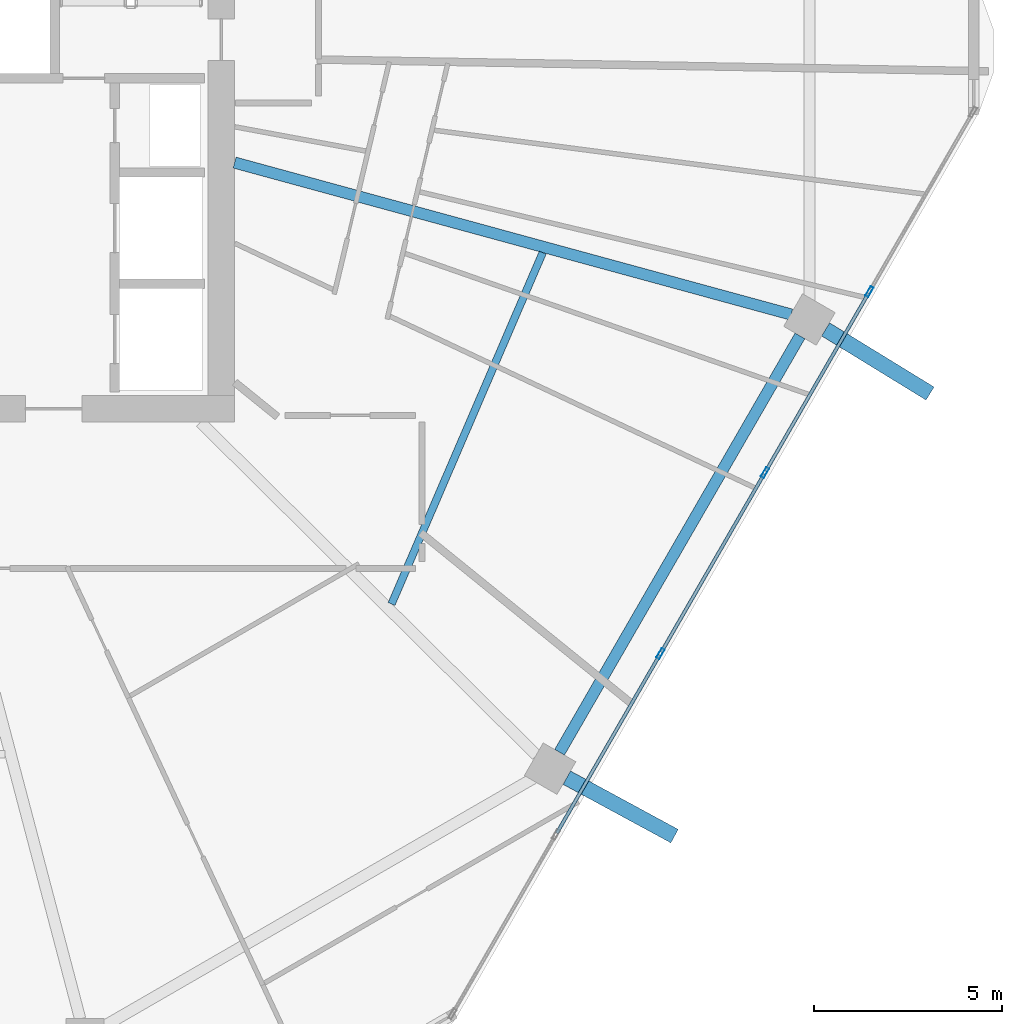
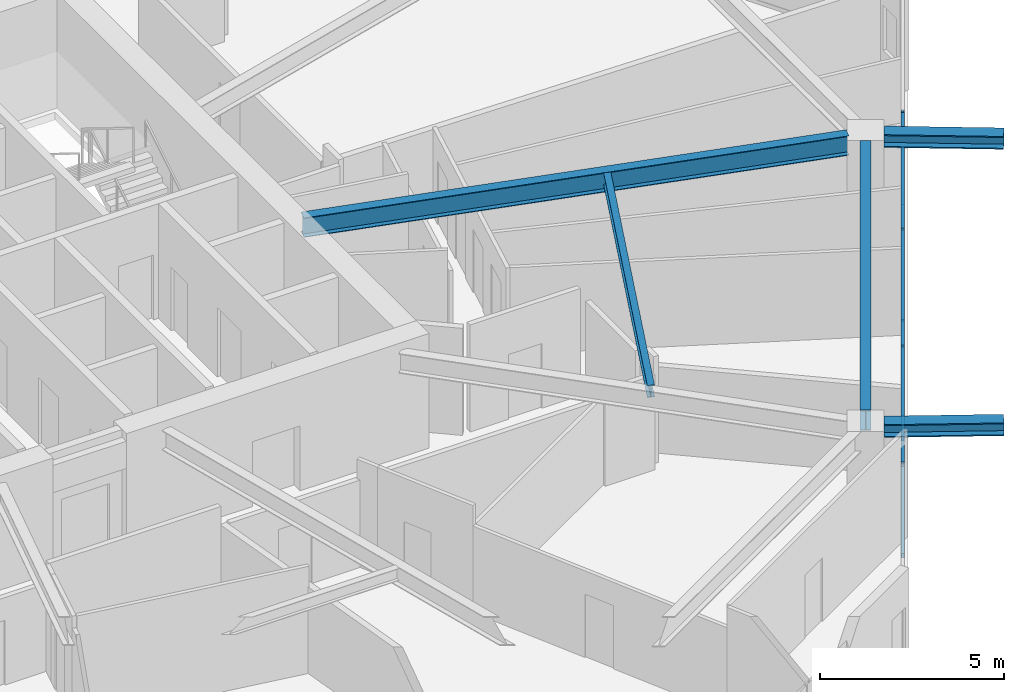
# One storey, part 8 of 25: 9 members, 5 beams, 1 element without a shape of its own.
"""IFC4 building model written with IfcOpenShell, lengths in metres."""

from ifc_helpers import new_model, si_unit, direction, frame, origin, origin_2d, place, context, subcontext, project, spatial, hollow_rectangle, i_section, extrude, material, material_profile, profile_set, type_object, element, aggregate, save


model = new_model("IFC4")

# Units and contexts
model_context = context("Model", 3, precision=1e-05, world=origin(), true_north=direction((0.0, 1.0)))
body_context = subcontext(model_context, "Body", "Model", "MODEL_VIEW")
ifc_project = project(units=[si_unit("LENGTHUNIT", "METRE"), si_unit("AREAUNIT", "SQUARE_METRE"), si_unit("VOLUMEUNIT", "CUBIC_METRE"), si_unit("PLANEANGLEUNIT", "RADIAN"), si_unit("MASSUNIT", "GRAM", prefix="KILO")], contexts=[model_context])

# Site, building, storey
site_placement = place(None, origin())
site = spatial("IfcSite", under=ifc_project, at=site_placement, CompositionType="ELEMENT")
building_placement = place(site_placement, origin())
building = spatial("IfcBuilding", under=site, at=building_placement, Name="Zuhravey Tower", CompositionType="ELEMENT")
storey_placement = place(building_placement, frame((0.0, 0.0, 180.800048828125)))
storey = spatial("IfcBuildingStorey", under=building, at=storey_placement, Name="L45", CompositionType="ELEMENT", Elevation=180.800048828125)

# Curtain wall, members
ifc_material_1 = material(Name="Thermally broken anodised aluminium", Category="aluminium")
curtain_wall_type = type_object("IfcCurtainWallType", Name="Zone 1-2 Residential Curtain Wall CW3", PredefinedType="NOTDEFINED", material=ifc_material_1)
curtain_wall_placement = place(storey_placement, origin())
curtain_wall = element("IfcCurtainWall", 1, at=curtain_wall_placement, inside=storey, type_object=curtain_wall_type, Name="L45 CW3 CW-L45-F6-1", PredefinedType="NOTDEFINED")
ifc_material_2 = material(Name="Anodised aluminium", Category="aluminium")
ifc_material_profile_1 = material_profile(ifc_material_2, hollow_rectangle(XDim=0.090087890625, YDim=0.284912109375, WallThickness=0.0048828125, at=origin_2d()), Name="ALU-RHS-90x285x5")
ifc_profile_set_1 = profile_set([ifc_material_profile_1], Name="Anodised aluminium")
member_type_1 = type_object("IfcMemberType", Name="Curtain-Wall Mullion 90x180", PredefinedType="MULLION", material=ifc_profile_set_1)
member_1_placement = place(storey_placement, frame((63.699462890625, 25.61083984375, 0.0), z_axis=(0.0, 0.0, 1.0), x_axis=(0.866025138215, -0.500000459979, 0.0)))
member_1 = element("IfcMember", 2, at=member_1_placement, type_object=member_type_1, Name="CW3 mullion 2", PredefinedType="MULLION", context=body_context, shape_type="SweptSolid", body=[
    extrude(hollow_rectangle(XDim=0.090087890625, YDim=0.284912109375, WallThickness=0.0048828125, at=origin_2d()), origin(), (0.0, 0.0, 1.0), 3.1220703125),
])
member_2_placement = place(storey_placement, frame((60.92724609375, 20.809326171875, 0.0), z_axis=(0.0, 0.0, 1.0), x_axis=(0.866025138215, -0.500000459979, 0.0)))
member_2 = element("IfcMember", 3, at=member_2_placement, type_object=member_type_1, Name="CW3 mullion 3", PredefinedType="MULLION", context=body_context, shape_type="SweptSolid", body=[
    extrude(hollow_rectangle(XDim=0.090087890625, YDim=0.284912109375, WallThickness=0.0048828125, at=origin_2d()), origin(), (0.0, 0.0, 1.0), 3.1220703125),
])
member_3_placement = place(storey_placement, frame((58.155029296875, 16.007568359375, 0.0), z_axis=(0.0, 0.0, 1.0), x_axis=(0.866025138215, -0.500000459979, 0.0)))
member_3 = element("IfcMember", 4, at=member_3_placement, type_object=member_type_1, Name="CW3 mullion 4", PredefinedType="MULLION", context=body_context, shape_type="SweptSolid", body=[
    extrude(hollow_rectangle(XDim=0.090087890625, YDim=0.284912109375, WallThickness=0.0048828125, at=origin_2d()), origin(), (0.0, 0.0, 1.0), 3.1220703125),
])
ifc_material_profile_2 = material_profile(ifc_material_2, hollow_rectangle(XDim=0.090087890625, YDim=0.14990234375, WallThickness=0.0048828125, at=origin_2d()), Name="ALU-RHS-90x150x5")
ifc_profile_set_2 = profile_set([ifc_material_profile_2], Name="Anodised aluminium")
member_type_2 = type_object("IfcMemberType", Name="Curtain-Wall Transom 90x150", PredefinedType="USERDEFINED", material=ifc_profile_set_2)
member_4_placement = place(storey_placement, frame((63.677001953125, 25.572021484375, 0.044921875), z_axis=(-0.49996138257, -0.86604769842, 0.0), x_axis=(0.86604769842, -0.49996138257, 0.0)))
member_4 = element("IfcMember", 5, at=member_4_placement, type_object=member_type_2, Name="CW3 transom 2.1", ObjectType="TRANSOM", PredefinedType="USERDEFINED", context=body_context, shape_type="SweptSolid", body=[
    extrude(hollow_rectangle(XDim=0.090087890625, YDim=0.14990234375, WallThickness=0.0048828125, at=origin_2d()), origin(), (0.0, 0.0, 1.0), 5.45458984375),
])
member_5_placement = place(storey_placement, frame((63.677001953125, 25.572021484375, 3.076904296875), z_axis=(-0.49996138257, -0.86604769842, 0.0), x_axis=(0.86604769842, -0.49996138257, 0.0)))
member_5 = element("IfcMember", 6, at=member_5_placement, type_object=member_type_2, Name="CW3 transom 2.2", ObjectType="TRANSOM", PredefinedType="USERDEFINED", context=body_context, shape_type="SweptSolid", body=[
    extrude(hollow_rectangle(XDim=0.090087890625, YDim=0.14990234375, WallThickness=0.0048828125, at=origin_2d()), origin(), (0.0, 0.0, 1.0), 5.45458984375),
])
member_6_placement = place(storey_placement, frame((60.90478515625, 20.770263671875, 0.044921875), z_axis=(-0.499980763544, -0.866036509673, 0.0), x_axis=(0.866036509673, -0.499980763544, 0.0)))
member_6 = element("IfcMember", 7, at=member_6_placement, type_object=member_type_2, Name="CW3 transom 3.1", ObjectType="TRANSOM", PredefinedType="USERDEFINED", context=body_context, shape_type="SweptSolid", body=[
    extrude(hollow_rectangle(XDim=0.090087890625, YDim=0.14990234375, WallThickness=0.0048828125, at=origin_2d()), origin(), (0.0, 0.0, 1.0), 5.454345703125),
])
member_7_placement = place(storey_placement, frame((60.90478515625, 20.770263671875, 3.076904296875), z_axis=(-0.499980763544, -0.866036509673, 0.0), x_axis=(0.866036509673, -0.499980763544, 0.0)))
member_7 = element("IfcMember", 8, at=member_7_placement, type_object=member_type_2, Name="CW3 transom 3.2", ObjectType="TRANSOM", PredefinedType="USERDEFINED", context=body_context, shape_type="SweptSolid", body=[
    extrude(hollow_rectangle(XDim=0.090087890625, YDim=0.14990234375, WallThickness=0.0048828125, at=origin_2d()), origin(), (0.0, 0.0, 1.0), 5.454345703125),
])
member_8_placement = place(storey_placement, frame((58.132568359375, 15.96875, 0.044921875), z_axis=(-0.49996138257, -0.86604769842, 0.0), x_axis=(0.86604769842, -0.49996138257, 0.0)))
member_8 = element("IfcMember", 9, at=member_8_placement, type_object=member_type_2, Name="CW3 transom 4.1", ObjectType="TRANSOM", PredefinedType="USERDEFINED", context=body_context, shape_type="SweptSolid", body=[
    extrude(hollow_rectangle(XDim=0.090087890625, YDim=0.14990234375, WallThickness=0.0048828125, at=origin_2d()), origin(), (0.0, 0.0, 1.0), 5.45458984375),
])
member_9_placement = place(storey_placement, frame((58.132568359375, 15.96875, 3.076904296875), z_axis=(-0.49996138257, -0.86604769842, 0.0), x_axis=(0.86604769842, -0.49996138257, 0.0)))
member_9 = element("IfcMember", 10, at=member_9_placement, type_object=member_type_2, Name="CW3 transom 4.2", ObjectType="TRANSOM", PredefinedType="USERDEFINED", context=body_context, shape_type="SweptSolid", body=[
    extrude(hollow_rectangle(XDim=0.090087890625, YDim=0.14990234375, WallThickness=0.0048828125, at=origin_2d()), origin(), (0.0, 0.0, 1.0), 5.45458984375),
])
aggregate(curtain_wall, [member_1, member_2, member_3, member_4, member_5, member_6, member_7, member_8, member_9])

# Beams
ifc_material_3 = material(Name="Steel SM460", Category="steel")
ifc_material_profile_3 = material_profile(ifc_material_3, i_section(OverallWidth=0.406982421875, OverallDepth=0.427978515625, WebThickness=0.02001953125, FlangeThickness=0.034912109375, at=origin_2d()), Name="H-428x407x20x35")
ifc_profile_set_3 = profile_set([ifc_material_profile_3], Name="Steel SM460")
beam_type_1 = type_object("IfcBeamType", Name="Exoskeleton Node Tie Beam H428x407", PredefinedType="BEAM", material=ifc_profile_set_3)
beam_1_placement = place(storey_placement, frame((55.668701171875, 12.713134765625, 3.3359375), z_axis=(0.87911769022, -0.476604748972, 0.0), x_axis=(0.476604748972, 0.87911769022, 0.0)))
element("IfcBeam", 11, at=beam_1_placement, inside=storey, type_object=beam_type_1, Name="L45 Exoskeleton Node Tie NT1-11", PredefinedType="BEAM", context=body_context, shape_type="SweptSolid", body=[
    extrude(i_section(OverallWidth=0.406982421875, OverallDepth=0.427978515625, WebThickness=0.02001953125, FlangeThickness=0.034912109375, at=origin_2d()), origin(), (0.0, 0.0, 1.0), 3.252197265625),
])
beam_2_placement = place(storey_placement, frame((62.537353515625, 24.60986328125, 3.3359375), z_axis=(0.852296870051, -0.523058357453, 0.0), x_axis=(0.523058357453, 0.852296870051, 0.0)))
element("IfcBeam", 12, at=beam_2_placement, inside=storey, type_object=beam_type_1, Name="L45 Exoskeleton Node Tie NT1-12", PredefinedType="BEAM", context=body_context, shape_type="SweptSolid", body=[
    extrude(i_section(OverallWidth=0.406982421875, OverallDepth=0.427978515625, WebThickness=0.02001953125, FlangeThickness=0.034912109375, at=origin_2d()), origin(), (0.0, 0.0, 1.0), 3.25244140625),
])
ifc_material_4 = material(Name="Steel SM355", Category="steel")
ifc_material_profile_4 = material_profile(ifc_material_4, i_section(OverallWidth=0.300048828125, OverallDepth=0.679931640625, WebThickness=0.012939453125, FlangeThickness=0.02197265625, at=origin_2d()), Name="H-680x300x13x22")
ifc_profile_set_4 = profile_set([ifc_material_profile_4], Name="Steel SM355")
beam_type_2 = type_object("IfcBeamType", Name="Perimeter Ring Beam H680x300", PredefinedType="BEAM", material=ifc_profile_set_4)
beam_3_placement = place(storey_placement, frame((55.47705078125, 13.388916015625, 3.2099609375), z_axis=(0.499997974489, 0.866026573211, 0.0), x_axis=(-0.866026573211, 0.499997974489, 0.0)))
element("IfcBeam", 13, at=beam_3_placement, inside=storey, type_object=beam_type_2, Name="L45 PB2 BM-L45-PB-11", PredefinedType="BEAM", context=body_context, shape_type="SweptSolid", body=[
    extrude(i_section(OverallWidth=0.300048828125, OverallDepth=0.679931640625, WebThickness=0.012939453125, FlangeThickness=0.02197265625, at=origin_2d()), origin(), (0.0, 0.0, 1.0), 12.75830078125),
])
ifc_material_profile_5 = material_profile(ifc_material_4, i_section(OverallWidth=0.300048828125, OverallDepth=0.64990234375, WebThickness=0.012939453125, FlangeThickness=0.02197265625, at=origin_2d()), Name="H-650x300x13x22")
ifc_profile_set_5 = profile_set([ifc_material_profile_5], Name="Steel SM355")
beam_type_3 = type_object("IfcBeamType", Name="Radial Primary Girder H650x300", PredefinedType="BEAM", material=ifc_profile_set_5)
beam_4_placement = place(storey_placement, frame((46.85302734375, 29.03759765625, 3.224853515625), z_axis=(0.964701601771, -0.263345437667, 0.0), x_axis=(0.263345437667, 0.964701601771, 0.0)))
element("IfcBeam", 14, at=beam_4_placement, inside=storey, type_object=beam_type_3, Name="L45 RG2 BM-L45-RAD-12", PredefinedType="BEAM", context=body_context, shape_type="SweptSolid", body=[
    extrude(i_section(OverallWidth=0.300048828125, OverallDepth=0.64990234375, WebThickness=0.012939453125, FlangeThickness=0.02197265625, at=origin_2d()), origin(), (0.0, 0.0, 1.0), 15.309814453125),
])
ifc_material_profile_6 = material_profile(ifc_material_4, i_section(OverallWidth=0.199951171875, OverallDepth=0.39990234375, WebThickness=0.008056640625, FlangeThickness=0.012939453125, at=origin_2d()), Name="H-400x200x8x13")
ifc_profile_set_6 = profile_set([ifc_material_profile_6], Name="Steel SM355")
beam_type_4 = type_object("IfcBeamType", Name="Secondary Floor Joist H400x200", PredefinedType="JOIST", material=ifc_profile_set_6)
beam_5_placement = place(storey_placement, frame((51.017578125, 17.323974609375, 3.349853515625), z_axis=(0.395265853487, 0.918566766799, 0.0), x_axis=(-0.918566766799, 0.395265853487, 0.0)))
element("IfcBeam", 15, at=beam_5_placement, inside=storey, type_object=beam_type_4, Name="L45 SJ2 BM-L45-SJ-11-1", PredefinedType="JOIST", context=body_context, shape_type="SweptSolid", body=[
    extrude(i_section(OverallWidth=0.199951171875, OverallDepth=0.39990234375, WebThickness=0.008056640625, FlangeThickness=0.012939453125, at=origin_2d()), origin(), (0.0, 0.0, 1.0), 10.150146484375),
])

save(model, "model.ifc")
